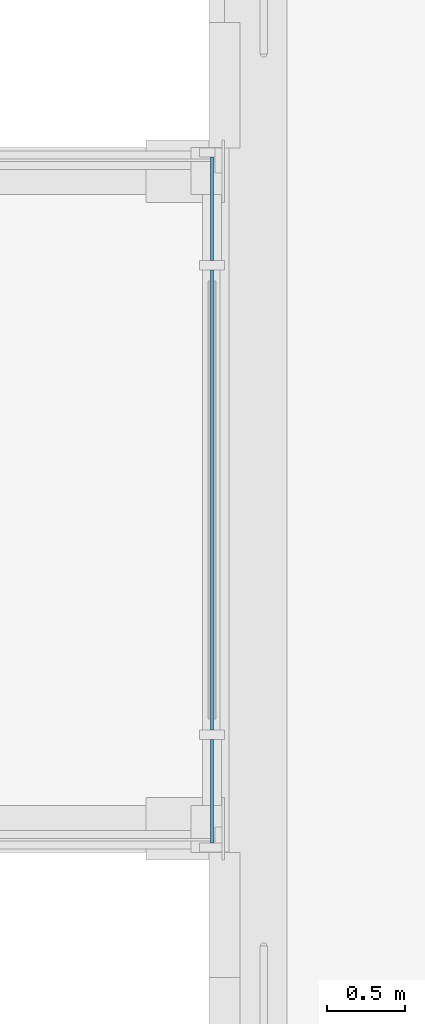
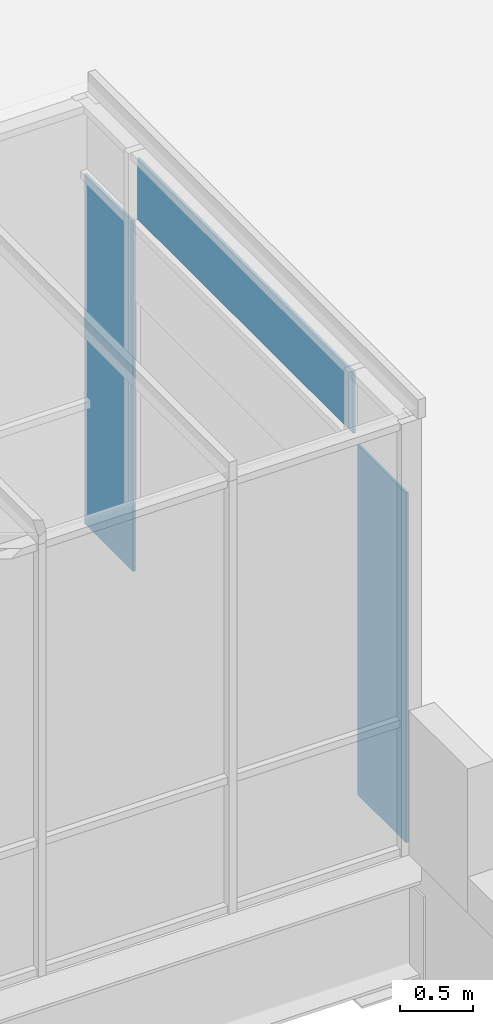
# One storey, part 45 of 79: 3 plates, 1 element without a shape of its own.
"""IFC4 building model written with IfcOpenShell, lengths in metres."""

from ifc_helpers import new_model, si_unit, direction, frame, origin, origin_2d, place, context, subcontext, project, spatial, rectangle, extrude, material, layer, layer_set, type_object, element, aggregate, save


model = new_model("IFC4")

# Units and contexts
model_context = context("Model", 3, precision=1e-05, world=origin(), true_north=direction((0.0, 1.0)))
body_context = subcontext(model_context, "Body", "Model", "MODEL_VIEW")
ifc_project = project(units=[si_unit("LENGTHUNIT", "METRE"), si_unit("AREAUNIT", "SQUARE_METRE"), si_unit("VOLUMEUNIT", "CUBIC_METRE"), si_unit("PLANEANGLEUNIT", "RADIAN"), si_unit("MASSUNIT", "GRAM", prefix="KILO")], contexts=[model_context])

# Site, building, storey
site_placement = place(None, origin())
site = spatial("IfcSite", under=ifc_project, at=site_placement, CompositionType="ELEMENT")
building_placement = place(site_placement, origin())
building = spatial("IfcBuilding", under=site, at=building_placement, Name="Guidao Yard Department Store", CompositionType="ELEMENT")
storey_placement = place(building_placement, frame((0.0, 0.0, 15.0)))
storey = spatial("IfcBuildingStorey", under=building, at=storey_placement, Name="L03", CompositionType="ELEMENT", Elevation=15.0)

# Curtain wall, plates
ifc_material_1 = material(Name="Aluminium and glass", Category="aluminium")
ifc_layer_1 = layer(ifc_material_1, 0.159912109375)
ifc_layer_set_1 = layer_set([ifc_layer_1], Name="Bridge glazing CW5 1500 module")
curtain_wall_type = type_object("IfcCurtainWallType", Name="Bridge glazing CW5 1500 module", PredefinedType="NOTDEFINED", material=ifc_layer_set_1)
curtain_wall_placement = place(storey_placement, origin())
curtain_wall = element("IfcCurtainWall", 1, at=curtain_wall_placement, inside=storey, type_object=curtain_wall_type, Name="Bridge end screen BR05", PredefinedType="NOTDEFINED")
ifc_material_2 = material(Name="Laminated heat-soaked tempered glass", Category="glass")
ifc_layer_2 = layer(ifc_material_2, 0.017578125)
ifc_layer_set_2 = layer_set([ifc_layer_2], Name="Vision glass VG1 laminated heat-soaked tempered 8+8")
plate_type = type_object("IfcPlateType", Name="Vision glass VG1 laminated heat-soaked tempered 8+8", PredefinedType="CURTAIN_PANEL", material=ifc_layer_set_2)
plate_1_placement = place(storey_placement, frame((71.919921875, 65.639892578125, 0.06005859375), z_axis=(0.0, 0.0, 1.0), x_axis=(0.0, -1.0, 0.0)))
plate_1 = element("IfcPlate", 2, at=plate_1_placement, type_object=plate_type, Name="CW-E-L03-03 panel 1.1", PredefinedType="CURTAIN_PANEL", context=body_context, shape_type="SweptSolid", body=[
    extrude(rectangle(XDim=0.659912109375, YDim=0.017578125, at=origin_2d()), origin(), (0.0, 0.0, 1.0), 2.909912109375),
])
plate_2_placement = place(storey_placement, frame((71.919921875, 67.5, 3.02978515625), z_axis=(0.0, 0.0, 1.0), x_axis=(0.0, -1.0, 0.0)))
plate_2 = element("IfcPlate", 3, at=plate_2_placement, type_object=plate_type, Name="CW-E-L03-03 panel 2.2", PredefinedType="CURTAIN_PANEL", context=body_context, shape_type="SweptSolid", body=[
    extrude(rectangle(XDim=2.93994140625, YDim=0.017578125, at=origin_2d()), origin(), (0.0, 0.0, 1.0), 0.510009765625),
])
plate_3_placement = place(storey_placement, frame((71.919921875, 69.360107421875, 0.06005859375), z_axis=(0.0, 0.0, 1.0), x_axis=(0.0, -1.0, 0.0)))
plate_3 = element("IfcPlate", 4, at=plate_3_placement, type_object=plate_type, Name="CW-E-L03-03 panel 3.1", PredefinedType="CURTAIN_PANEL", context=body_context, shape_type="SweptSolid", body=[
    extrude(rectangle(XDim=0.659912109375, YDim=0.017578125, at=origin_2d()), origin(), (0.0, 0.0, 1.0), 2.909912109375),
])
aggregate(curtain_wall, [plate_1, plate_2, plate_3])

save(model, "model.ifc")
